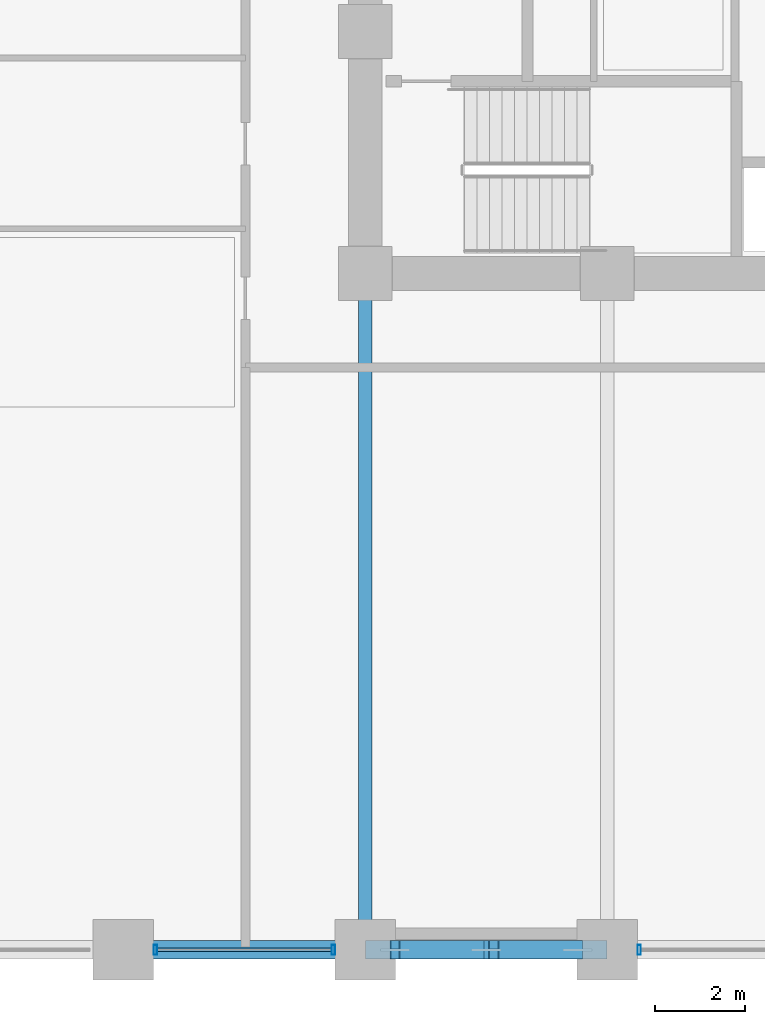
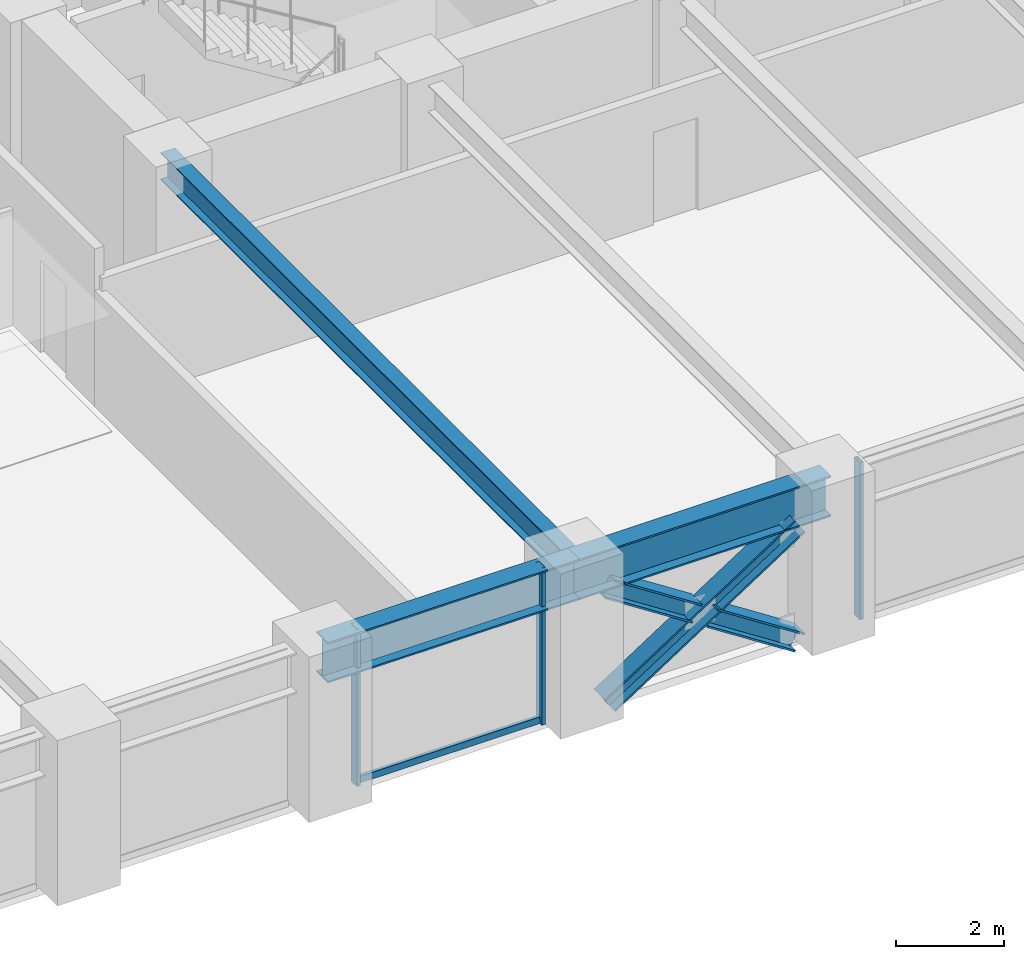
# One storey, part 4 of 25: 7 members, 3 beams, 2 elements without a shape of their own.
"""IFC4 building model written with IfcOpenShell, lengths in metres."""

from ifc_helpers import new_model, si_unit, direction, frame, origin, origin_2d, place, context, subcontext, project, spatial, hollow_rectangle, i_section, extrude, material, layer, layer_set, material_profile, profile_set, type_object, element, aggregate, save


model = new_model("IFC4")

# Units and contexts
model_context = context("Model", 3, precision=1e-05, world=origin(), true_north=direction((0.0, 1.0)))
body_context = subcontext(model_context, "Body", "Model", "MODEL_VIEW")
ifc_project = project(units=[si_unit("LENGTHUNIT", "METRE"), si_unit("AREAUNIT", "SQUARE_METRE"), si_unit("VOLUMEUNIT", "CUBIC_METRE"), si_unit("PLANEANGLEUNIT", "RADIAN"), si_unit("MASSUNIT", "GRAM", prefix="KILO")], contexts=[model_context])

# Site, building, storey
site_placement = place(None, origin())
site = spatial("IfcSite", under=ifc_project, at=site_placement, CompositionType="ELEMENT")
building_placement = place(site_placement, origin())
building = spatial("IfcBuilding", under=site, at=building_placement, Name="Surkhivell Harbour Commons", CompositionType="ELEMENT")
storey_placement = place(building_placement, frame((0.0, 0.0, 37.5)))
storey = spatial("IfcBuildingStorey", under=building, at=storey_placement, Name="L09", CompositionType="ELEMENT", Elevation=37.5)

# Beams
ifc_material_1 = material(Name="Steel S355", Category="steel")
ifc_material_profile_1 = material_profile(ifc_material_1, i_section(OverallWidth=0.306884765625, OverallDepth=0.6201171875, WebThickness=0.01416015625, FlangeThickness=0.023681640625, at=origin_2d()), Name="UB610x305x179")
ifc_profile_set_1 = profile_set([ifc_material_profile_1], Name="Steel S355")
beam_type_1 = type_object("IfcBeamType", Name="BM-GRD-610A", PredefinedType="BEAM", material=ifc_profile_set_1)
beam_1_placement = place(storey_placement, frame((-10.800048828125, -25.89990234375, 3.260009765625), z_axis=(0.0, 1.0, 0.0), x_axis=(-1.0, 0.0, 0.0)))
element("IfcBeam", 1, at=beam_1_placement, inside=storey, type_object=beam_type_1, Name="L09 Floor Girder (-10.8,-25.9)", PredefinedType="BEAM", context=body_context, shape_type="SweptSolid", body=[
    extrude(i_section(OverallWidth=0.306884765625, OverallDepth=0.6201171875, WebThickness=0.01416015625, FlangeThickness=0.023681640625, at=origin_2d()), origin(), (0.0, 0.0, 1.0), 15.099853515625),
])
ifc_material_2 = material(Name="Steel S460", Category="steel")
ifc_material_profile_2 = material_profile(ifc_material_2, i_section(OverallWidth=0.419921875, OverallDepth=0.9208984375, WebThickness=0.021484375, FlangeThickness=0.03662109375, at=origin_2d()), Name="UB914x419x388")
ifc_profile_set_2 = profile_set([ifc_material_profile_2], Name="Steel S460")
beam_type_2 = type_object("IfcBeamType", Name="BM-SPN-914A", PredefinedType="SPANDREL", material=ifc_profile_set_2)
beam_2_placement = place(storey_placement, frame((-16.199951171875, -25.89990234375, 3.109619140625), z_axis=(1.0, 0.0, 0.0), x_axis=(0.0, 1.0, 0.0)))
element("IfcBeam", 2, at=beam_2_placement, inside=storey, type_object=beam_type_2, Name="L09 Tube Spandrel (-16.2,-25.9)", PredefinedType="SPANDREL", context=body_context, shape_type="SweptSolid", body=[
    extrude(i_section(OverallWidth=0.419921875, OverallDepth=0.9208984375, WebThickness=0.021484375, FlangeThickness=0.03662109375, at=origin_2d()), origin(), (0.0, 0.0, 1.0), 5.39990234375),
])
beam_3_placement = place(storey_placement, frame((-10.800048828125, -25.89990234375, 3.109619140625), z_axis=(1.0, 0.0, 0.0), x_axis=(0.0, 1.0, 0.0)))
element("IfcBeam", 3, at=beam_3_placement, inside=storey, type_object=beam_type_2, Name="L09 Tube Spandrel (-10.8,-25.9)", PredefinedType="SPANDREL", context=body_context, shape_type="SweptSolid", body=[
    extrude(i_section(OverallWidth=0.419921875, OverallDepth=0.9208984375, WebThickness=0.021484375, FlangeThickness=0.03662109375, at=origin_2d()), origin(), (0.0, 0.0, 1.0), 5.400146484375),
])

# Curtain wall, members
ifc_material_3 = material(Name="Anodised pale-metal aluminium and insulated glazing", Category="aluminium")
ifc_layer = layer(ifc_material_3, 0.219970703125)
ifc_layer_set = layer_set([ifc_layer], Name="Anodised pale-metal aluminium and insulated glazing")
curtain_wall_type = type_object("IfcCurtainWallType", Name="CW-SYS-Z1", PredefinedType="NOTDEFINED", material=ifc_layer_set)
curtain_wall_1_placement = place(storey_placement, origin())
curtain_wall_1 = element("IfcCurtainWall", 4, at=curtain_wall_1_placement, inside=storey, type_object=curtain_wall_type, Name="L09 Curtain Wall CW-L09-E00S1", PredefinedType="NOTDEFINED")
ifc_material_4 = material(Name="Anodised pale-metal aluminium alloy 6063-T6", Category="aluminium")
ifc_material_profile_3 = material_profile(ifc_material_4, hollow_rectangle(XDim=0.074951171875, YDim=0.219970703125, WallThickness=0.00390625, at=origin_2d()), Name="ALU-MULL-75x220")
ifc_profile_set_3 = profile_set([ifc_material_profile_3], Name="Anodised pale-metal aluminium alloy 6063-T6")
member_type_1 = type_object("IfcMemberType", Name="CWM-220", PredefinedType="MULLION", material=ifc_profile_set_3)
member_1_placement = place(storey_placement, frame((-15.485595703125, -25.89990234375, 0.0), z_axis=(0.0, 0.0, 1.0), x_axis=(1.0, 0.0, 0.0)))
member_1 = element("IfcMember", 5, at=member_1_placement, type_object=member_type_1, Name="CW-Z1 mullion 3", PredefinedType="MULLION", context=body_context, shape_type="SweptSolid", body=[
    extrude(hollow_rectangle(XDim=0.074951171875, YDim=0.219970703125, WallThickness=0.00390625, at=origin_2d()), origin(), (0.0, 0.0, 1.0), 3.570068359375),
])
member_2_placement = place(storey_placement, frame((-11.514404296875, -25.89990234375, 0.0), z_axis=(0.0, 0.0, 1.0), x_axis=(1.0, 0.0, 0.0)))
member_2 = element("IfcMember", 6, at=member_2_placement, type_object=member_type_1, Name="CW-Z1 mullion 4", PredefinedType="MULLION", context=body_context, shape_type="SweptSolid", body=[
    extrude(hollow_rectangle(XDim=0.074951171875, YDim=0.219970703125, WallThickness=0.00390625, at=origin_2d()), origin(), (0.0, 0.0, 1.0), 3.570068359375),
])

# Curtain wall, member
curtain_wall_2_placement = place(storey_placement, origin())
curtain_wall_2 = element("IfcCurtainWall", 7, at=curtain_wall_2_placement, inside=storey, type_object=curtain_wall_type, Name="L09 Curtain Wall CW-L09-E00S2", PredefinedType="NOTDEFINED")
member_3_placement = place(storey_placement, frame((-4.685546875, -25.89990234375, 0.0), z_axis=(0.0, 0.0, 1.0), x_axis=(1.0, 0.0, 0.0)))
member_3 = element("IfcMember", 8, at=member_3_placement, type_object=member_type_1, Name="CW-Z1 mullion 1", PredefinedType="MULLION", context=body_context, shape_type="SweptSolid", body=[
    extrude(hollow_rectangle(XDim=0.074951171875, YDim=0.219970703125, WallThickness=0.00390625, at=origin_2d()), origin(), (0.0, 0.0, 1.0), 3.570068359375),
])
aggregate(curtain_wall_2, [member_3])

# Member
ifc_material_profile_4 = material_profile(ifc_material_4, hollow_rectangle(XDim=0.074951171875, YDim=0.14990234375, WallThickness=0.00341796875, at=origin_2d()), Name="ALU-TRAN-75x150")
ifc_profile_set_4 = profile_set([ifc_material_profile_4], Name="Anodised pale-metal aluminium alloy 6063-T6")
member_type_2 = type_object("IfcMemberType", Name="CWT-150", PredefinedType="USERDEFINED", material=ifc_profile_set_4)
member_4_placement = place(storey_placement, frame((-15.447998046875, -25.89990234375, 0.074951171875), z_axis=(1.0, 0.0, 0.0), x_axis=(0.0, 1.0, 0.0)))
member_4 = element("IfcMember", 9, at=member_4_placement, type_object=member_type_2, Name="CW-Z1 transom 3.1", ObjectType="TRANSOM", PredefinedType="USERDEFINED", context=body_context, shape_type="SweptSolid", body=[
    extrude(hollow_rectangle(XDim=0.074951171875, YDim=0.14990234375, WallThickness=0.00341796875, at=origin_2d()), origin(), (0.0, 0.0, 1.0), 3.89599609375),
])

aggregate(curtain_wall_1, [member_1, member_2, member_4])

# Members
ifc_material_profile_5 = material_profile(ifc_material_2, i_section(OverallWidth=0.406005859375, OverallDepth=0.416015625, WebThickness=0.026611328125, FlangeThickness=0.0390625, at=origin_2d()), Name="HD400x382")
ifc_profile_set_5 = profile_set([ifc_material_profile_5], Name="Steel S460")
member_type_3 = type_object("IfcMemberType", Name="MEM-BRC-HD382", PredefinedType="BRACE", material=ifc_profile_set_5)
member_5_placement = place(storey_placement, frame((-10.139892578125, -25.89990234375, 0.008056640625), z_axis=(0.839088897369, 0.0, 0.543994321949), x_axis=(0.0, 1.0, 0.0)))
element("IfcMember", 10, at=member_5_placement, inside=storey, type_object=member_type_3, Name="L09 Perimeter Mega-Brace MB- 07", PredefinedType="BRACE", context=body_context, shape_type="SweptSolid", body=[
    extrude(i_section(OverallWidth=0.406005859375, OverallDepth=0.416015625, WebThickness=0.026611328125, FlangeThickness=0.0390625, at=origin_2d()), origin(), (0.0, 0.0, 1.0), 4.8623046875),
])
for number, where, z_axis, x_axis, name in (
    (11, (-6.06005859375, -25.89990234375, 0.008056640625), (-0.83908547242, 0.0, 0.543999604756), (0.0, -1.0, 0.0), "L09 Perimeter Mega-Brace MB- 08"),
    (12, (-8.267578125, -25.89990234375, 1.439208984375), (-0.83908547242, 0.0, 0.543999604756), (0.0, -1.0, 0.0), "L09 Perimeter Mega-Brace MB- 09"),
):
    element("IfcMember", number, at=place(storey_placement, frame(where, z_axis=z_axis, x_axis=x_axis)), inside=storey, type_object=member_type_3, Name=name, PredefinedType="BRACE", context=body_context, shape_type="SweptSolid", body=[
        extrude(i_section(OverallWidth=0.406005859375, OverallDepth=0.416015625, WebThickness=0.026611328125, FlangeThickness=0.0390625, at=origin_2d()), origin(), (0.0, 0.0, 1.0), 2.2314453125),
    ])

save(model, "model.ifc")
